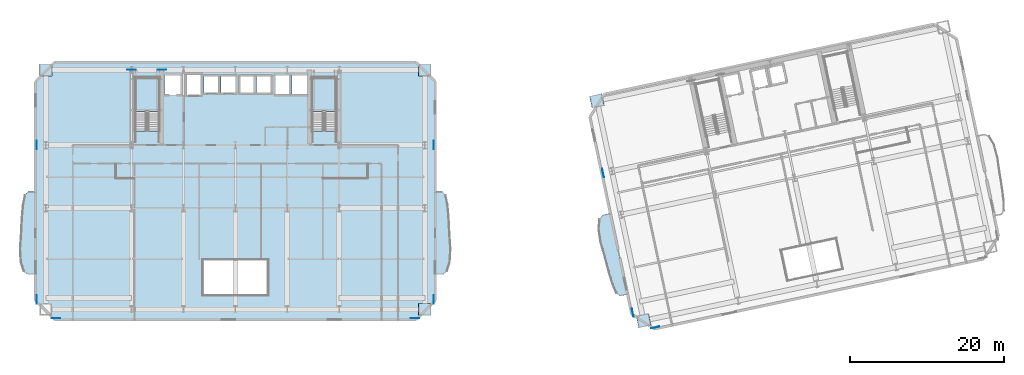
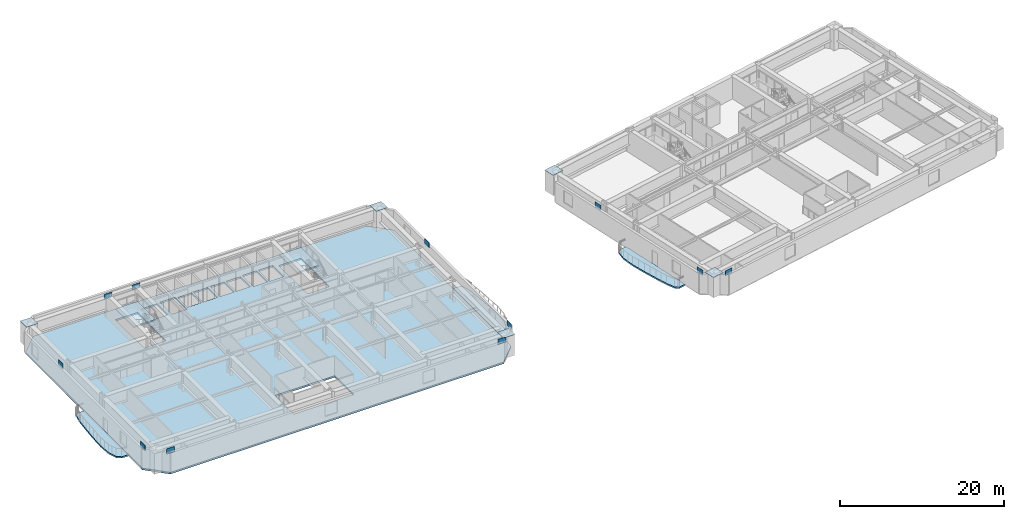
# One storey, part 5 of 18: 16 plates, 6 slabs, 2 elements without a shape of their own.
"""IFC4 building model written with IfcOpenShell, lengths in metres."""

import ifcopenshell
import ifcopenshell.guid

model = None  # the IFC model being written
_history = None  # IfcOwnerHistory: only IFC2X3 demands one
_inside = {}  # id of a spatial element -> (the spatial element, [elements in it])
_under = {}  # id of a project, library or spatial element -> (it, [spatial elements below it])
_declared = {}  # id of a project -> (the project, [libraries it declares])
_typed = {}  # id of a type object -> (the type object, [elements of that type])
_made_of = {}  # id of a material, layer set ... -> (it, [elements and type objects made of it])


def new_model(schema):
    """Start an empty IFC model of exactly this schema.

    Asked for "IFC4X3", IfcOpenShell would pick the latest addendum, in which some entities
    have other attributes; the version numbers below select the first issue.
    IFC2X3 requires an IfcOwnerHistory on every rooted entity: one is made here for all.
    """
    global model, _history
    if schema == "IFC4X3":
        model = ifcopenshell.file(schema_version=(4, 3, 0, 0))
    else:
        model = ifcopenshell.file(schema=schema)
    _inside.clear()
    _under.clear()
    _declared.clear()
    _typed.clear()
    _made_of.clear()
    _history = None
    if model.schema == "IFC2X3":
        org = make("IfcOrganization", Name="unknown")
        user = make(
            "IfcPersonAndOrganization",
            ThePerson=make("IfcPerson", FamilyName="unknown"),
            TheOrganization=org,
        )
        app = make(
            "IfcApplication",
            ApplicationDeveloper=org,
            Version="unknown",
            ApplicationFullName="unknown",
            ApplicationIdentifier="unknown",
        )
        _history = make(
            "IfcOwnerHistory",
            OwningUser=user,
            OwningApplication=app,
            ChangeAction="ADDED",
            CreationDate=0,
        )
    return model


def make(cls, **values):
    """One entity of the class cls with the attributes given. An attribute that is None is left unset."""
    return model.create_entity(
        cls, **{name: value for name, value in values.items() if value is not None}
    )


def rooted(cls, **values):
    """An entity with a GlobalId (a new one), such as an element, a storey or a relation."""
    return make(cls, GlobalId=ifcopenshell.guid.new(), OwnerHistory=_history, **values)


def si_unit(unit_type, name, prefix=None):
    """IfcSIUnit, for example si_unit("LENGTHUNIT", "METRE", prefix="MILLI")."""
    return make("IfcSIUnit", UnitType=unit_type, Prefix=prefix, Name=name)


def assignment(units):
    """IfcUnitAssignment: the units of a project."""
    return None if units is None else make("IfcUnitAssignment", Units=units)


def point(xyz):
    """IfcCartesianPoint."""
    return None if xyz is None else make("IfcCartesianPoint", Coordinates=xyz)


def direction(xyz):
    """IfcDirection."""
    return None if xyz is None else make("IfcDirection", DirectionRatios=xyz)


def frame(location, z_axis=None, x_axis=None):
    """IfcAxis2Placement3D, a coordinate frame: its origin and axes. An axis left out is left unset."""
    return make(
        "IfcAxis2Placement3D",
        Location=point(location),
        Axis=direction(z_axis),
        RefDirection=direction(x_axis),
    )


def frame_2d(location, x_axis=None):
    """IfcAxis2Placement2D, a coordinate frame in the plane: its origin and x axis."""
    return make(
        "IfcAxis2Placement2D", Location=point(location), RefDirection=direction(x_axis)
    )


def origin():
    """The frame at (0, 0, 0) with its axes left unset."""
    return frame((0.0, 0.0, 0.0))


def origin_2d():
    """The frame at (0, 0) in the plane with its x axis left unset."""
    return frame_2d((0.0, 0.0))


def place(relative_to, where):
    """IfcLocalPlacement: puts the frame where relative to a parent placement (None: the world)."""
    return make(
        "IfcLocalPlacement", PlacementRelTo=relative_to, RelativePlacement=where
    )


def context(
    kind, dimensions, precision=None, world=None, true_north=None, identifier=None
):
    """IfcGeometricRepresentationContext, for example the 3D "Model" context."""
    return make(
        "IfcGeometricRepresentationContext",
        ContextIdentifier=identifier,
        ContextType=kind,
        CoordinateSpaceDimension=dimensions,
        Precision=precision,
        WorldCoordinateSystem=world,
        TrueNorth=true_north,
    )


def subcontext(parent, identifier, kind, view, scale=None):
    """IfcGeometricRepresentationSubContext, for example "Body" below "Model"."""
    return make(
        "IfcGeometricRepresentationSubContext",
        ContextIdentifier=identifier,
        ContextType=kind,
        ParentContext=parent,
        TargetScale=scale,
        TargetView=view,
    )


def project(units=None, contexts=None):
    """IfcProject with its units and contexts."""
    return rooted(
        "IfcProject",
        Name="project",
        RepresentationContexts=contexts,
        UnitsInContext=assignment(units),
    )


def spatial(cls, under=None, at=None, **own):
    """A site, building, storey or space (cls), placed at a placement, below another one or the project."""
    s = rooted(cls, ObjectPlacement=at, **own)
    if under is not None:
        _under.setdefault(under.id(), (under, []))[1].append(s)
    return s


def polyline(points):
    """IfcPolyline through the points."""
    return make("IfcPolyline", Points=[point(p) for p in points])


def profile(cls, at=None, kind="AREA", **sizes):
    """A parametric profile (cls). Its sizes go by their IFC names, for example OverallWidth=200.0."""
    return make(cls, ProfileType=kind, Position=at, **sizes)


def rectangle(**sizes):
    """IfcRectangleProfileDef."""
    return profile("IfcRectangleProfileDef", **sizes)


def outline(outer, holes=None, kind="AREA"):
    """IfcArbitraryClosedProfileDef: a profile drawn as a closed curve; with holes, ...WithVoids."""
    if holes is None:
        return make("IfcArbitraryClosedProfileDef", ProfileType=kind, OuterCurve=outer)
    return make(
        "IfcArbitraryProfileDefWithVoids",
        ProfileType=kind,
        OuterCurve=outer,
        InnerCurves=holes,
    )


def extrude(swept, where, along, depth):
    """IfcExtrudedAreaSolid: the profile swept, set in the frame where, extruded along a direction by depth."""
    return make(
        "IfcExtrudedAreaSolid",
        SweptArea=swept,
        Position=where,
        ExtrudedDirection=direction(along),
        Depth=depth,
    )


def shape(context_of_items, identifier, shape_type, items):
    """IfcShapeRepresentation: the items that make up one representation, for example the "Body"."""
    return make(
        "IfcShapeRepresentation",
        ContextOfItems=context_of_items,
        RepresentationIdentifier=identifier,
        RepresentationType=shape_type,
        Items=items,
    )


def material(Name=None, Category=None):
    """IfcMaterial."""
    return make("IfcMaterial", Name=Name, Category=Category)


def layer(
    of_material, thickness, ventilated=None, Name=None, Category=None, Priority=None
):
    """IfcMaterialLayer: one layer of a wall or slab, of a material (None: an air gap)."""
    return make(
        "IfcMaterialLayer",
        Material=of_material,
        LayerThickness=thickness,
        IsVentilated=ventilated,
        Name=Name,
        Category=Category,
        Priority=Priority,
    )


def layer_set(layers, Name=None):
    """IfcMaterialLayerSet."""
    return make("IfcMaterialLayerSet", MaterialLayers=layers, LayerSetName=Name)


def made_of(thing, what):
    """Note that an element or type object is made of a material, layer set ...; save() writes the relation."""
    if what is not None:
        _made_of.setdefault(what.id(), (what, []))[1].append(thing)
    return thing


def type_object(cls, material=None, **own):
    """A type object (cls), such as IfcWallType, which elements share."""
    return made_of(rooted(cls, **own), material)


def element(
    cls,
    number,
    at=None,
    inside=None,
    cuts=None,
    type_object=None,
    material=None,
    context=None,
    identifier="Body",
    shape_type=None,
    held_by="IfcProductDefinitionShape",
    body=None,
    shapes=None,
    **own,
):
    """One element of the class cls, such as IfcWall. Its Tag is "e" and its number.

    at: its placement. inside: the storey or other place that contains it. cuts: it is an
    opening in that element (IfcRelVoidsElement). A single representation is given by context,
    identifier, shape_type and body (its items); several are given by shapes. held_by: the class
    of the entity that holds the representations. save() writes the other relations.
    """
    e = rooted(cls, Tag="e%d" % number, ObjectPlacement=at, **own)
    if body is not None:
        shapes = [shape(context, identifier, shape_type, body)]
    if shapes is not None:
        e.Representation = make(held_by, Representations=shapes)
    if inside is not None:
        _inside.setdefault(inside.id(), (inside, []))[1].append(e)
    if cuts is not None:
        rooted(
            "IfcRelVoidsElement", RelatingBuildingElement=cuts, RelatedOpeningElement=e
        )
    if type_object is not None:
        _typed.setdefault(type_object.id(), (type_object, []))[1].append(e)
    return made_of(e, material)


def aggregate(whole, parts):
    """IfcRelAggregates: a whole, such as a stair, and the parts it consists of."""
    return rooted("IfcRelAggregates", RelatingObject=whole, RelatedObjects=parts)


def save(model, path):
    """Write the relations noted so far, then the file.

    IfcRelAggregates (storeys below a building ...), IfcRelContainedInSpatialStructure (elements
    in a storey), IfcRelDefinesByType, IfcRelAssociatesMaterial and IfcRelDeclares: one each for
    every whole, place, type object, material and project.
    """
    for whole, parts in _under.values():
        aggregate(whole, parts)
    for where, things in _inside.values():
        rooted(
            "IfcRelContainedInSpatialStructure",
            RelatedElements=things,
            RelatingStructure=where,
        )
    for kind, things in _typed.values():
        rooted("IfcRelDefinesByType", RelatedObjects=things, RelatingType=kind)
    for what, things in _made_of.values():
        rooted("IfcRelAssociatesMaterial", RelatedObjects=things, RelatingMaterial=what)
    for by, libraries in _declared.values():
        rooted("IfcRelDeclares", RelatingContext=by, RelatedDefinitions=libraries)
    model.write(path)


model = new_model("IFC4")

# Units and contexts
model_context = context("Model", 3, precision=1e-05, world=origin(), true_north=direction((0.0, 1.0)))
body_context = subcontext(model_context, "Body", "Model", "MODEL_VIEW")
ifc_project = project(units=[si_unit("LENGTHUNIT", "METRE"), si_unit("AREAUNIT", "SQUARE_METRE"), si_unit("VOLUMEUNIT", "CUBIC_METRE"), si_unit("PLANEANGLEUNIT", "RADIAN"), si_unit("MASSUNIT", "GRAM", prefix="KILO")], contexts=[model_context])

# Site, building, storey
site_placement = place(None, origin())
site = spatial("IfcSite", under=ifc_project, at=site_placement, CompositionType="ELEMENT")
building_placement = place(site_placement, origin())
building = spatial("IfcBuilding", under=site, at=building_placement, Name="Haevon Station Towers", CompositionType="ELEMENT")
storey_placement = place(building_placement, frame((0.0, 0.0, 66.89990234375)))
storey = spatial("IfcBuildingStorey", under=building, at=storey_placement, Name="L17", CompositionType="ELEMENT", Elevation=66.89990234375)

# Plates
ifc_material_1 = material(Name="PL-FLG1", Category="steel")
ifc_layer_1 = layer(ifc_material_1, 0.044921875)
ifc_layer_set_1 = layer_set([ifc_layer_1], Name="PL-FLG1")
plate_type_1 = type_object("IfcPlateType", Name="PL-FLG1", PredefinedType="USERDEFINED", material=ifc_layer_set_1)
for number, where, z_axis, x_axis, name in (
    (1, (12.85009765625, 48.0, 3.050048828125), (0.0, 0.0, 1.0), (1.0, 0.0, 0.0), "PL-CAP-T1-L17-01-04"),
    (2, (62.14990234375, 16.85009765625, 3.050048828125), (0.0, 0.0, 1.0), (1.0, 0.0, 0.0), "PL-CAP-T1-L17-07-01"),
    (3, (62.14990234375, 48.0, 3.050048828125), (0.0, 0.0, 1.0), (1.0, 0.0, 0.0), "PL-CAP-T1-L17-07-04"),
    (4, (90.614013671875, 15.367919921875, 3.050048828125), (0.0, 0.0, 1.0), (0.978147600734, 0.207911690818, 0.0), "PL-CAP-T2-L17-01-01"),
    (5, (84.53271484375, 43.978759765625, 3.050048828125), (0.0, 0.0, 1.0), (0.978147600734, 0.207911690818, 0.0), "PL-CAP-T2-L17-01-04"),
):
    element("IfcPlate", number, at=place(storey_placement, frame(where, z_axis=z_axis, x_axis=x_axis)), inside=storey, type_object=plate_type_1, Name=name, ObjectType="FLANGE_PLATE", PredefinedType="USERDEFINED", context=body_context, shape_type="SweptSolid", body=[
        extrude(rectangle(XDim=1.639892578125, YDim=1.5400390625, at=origin_2d()), origin(), (0.0, 0.0, 1.0), 0.0400390625),
    ])
ifc_material_2 = material(Name="PL-SPL1", Category="steel")
ifc_layer_2 = layer(ifc_material_2, 0.031982421875)
ifc_layer_set_2 = layer_set([ifc_layer_2], Name="PL-SPL1")
plate_type_2 = type_object("IfcPlateType", Name="PL-SPL1", PredefinedType="USERDEFINED", material=ifc_layer_set_2)
for number, where, z_axis, x_axis, name in (
    (6, (14.14990234375, 15.679931640625, 2.775146484375), (0.0, 0.0, 1.0), (1.0, 0.0, 0.0), "PL-T1SPL-T01-S-3"),
    (7, (60.85009765625, 15.679931640625, 2.775146484375), (0.0, 0.0, 1.0), (1.0, 0.0, 0.0), "PL-T1SPL-T01-S-4"),
    (8, (24.0, 48.0, 2.775146484375), (0.0, 0.0, 1.0), (1.0, 0.0, 0.0), "PL-T1SPL-T01-N-3"),
    (9, (27.949951171875, 48.0, 2.775146484375), (0.0, 0.0, 1.0), (1.0, 0.0, 0.0), "PL-T1SPL-T01-N-4"),
    (10, (11.679931640625, 18.14990234375, 2.775146484375), (0.0, 0.0, 1.0), (0.0, 1.0, 0.0), "PL-T1SPL-T01-W-3"),
    (11, (11.679931640625, 38.199951171875, 2.775146484375), (0.0, 0.0, 1.0), (0.0, 1.0, 0.0), "PL-T1SPL-T01-W-4"),
    (12, (63.320068359375, 18.14990234375, 2.775146484375), (0.0, 0.0, 1.0), (0.0, 1.0, 0.0), "PL-T1SPL-T01-E-3"),
    (13, (63.320068359375, 38.199951171875, 2.775146484375), (0.0, 0.0, 1.0), (0.0, 1.0, 0.0), "PL-T1SPL-T01-E-4"),
    (14, (92.12890625, 14.493896484375, 2.775146484375), (0.0, 0.0, 1.0), (0.978147600734, 0.207911690818, 0.0), "PL-T2SPL-T01-S-3"),
    (15, (89.19921875, 16.396240234375, 2.775146484375), (0.0, 0.0, 1.0), (-0.207911690818, 0.978147600734, 0.0), "PL-T2SPL-T01-W-3"),
    (16, (85.332275390625, 34.58984375, 2.775146484375), (0.0, 0.0, 1.0), (-0.207911690818, 0.978147600734, 0.0), "PL-T2SPL-T01-W-4"),
):
    element("IfcPlate", number, at=place(storey_placement, frame(where, z_axis=z_axis, x_axis=x_axis)), inside=storey, type_object=plate_type_2, Name=name, ObjectType="SPLICE_PLATE", PredefinedType="USERDEFINED", context=body_context, shape_type="SweptSolid", body=[
        extrude(rectangle(XDim=1.10009765625, YDim=0.031982421875, at=origin_2d()), origin(), (0.0, 0.0, 1.0), 0.75),
    ])

# Slabs
ifc_material_3 = material(Name="Concrete C40/50", Category="concrete")
ifc_layer_3 = layer(ifc_material_3, 0.219970703125)
ifc_layer_set_3 = layer_set([ifc_layer_3], Name="Concrete C40/50")
slab_type_1 = type_object("IfcSlabType", Name="SL-BALC220", PredefinedType="FLOOR", material=ifc_layer_set_3)
slab_1_placement = place(storey_placement, frame((0.0, 0.0, -0.219970703125)))
element("IfcSlab", 17, at=slab_1_placement, inside=storey, type_object=slab_type_1, Name="Tower 1 L17 West SCALLOPED BALCONY", PredefinedType="FLOOR", context=body_context, shape_type="SweptSolid", body=[
    extrude(outline(polyline([(11.4951171875, 32.14990234375), (10.53759765625, 32.14990234375), (10.14697265625, 31.739013671875), (9.900634765625, 30.568359375), (9.730224609375, 28.81640625), (9.574462890625, 26.75), (9.48779296875, 24.68359375), (9.602783203125, 22.931640625), (9.98388671875, 21.760986328125), (10.53759765625, 21.35009765625), (11.4951171875, 21.35009765625), (11.4951171875, 32.14990234375)])), origin(), (0.0, 0.0, 1.0), 0.219970703125),
])
slab_2_placement = place(storey_placement, frame((0.0, 0.0, -0.219970703125)))
element("IfcSlab", 18, at=slab_2_placement, inside=storey, type_object=slab_type_1, Name="Tower 1 L17 East SCALLOPED BALCONY", PredefinedType="FLOOR", context=body_context, shape_type="SweptSolid", body=[
    extrude(outline(polyline([(63.5048828125, 21.35009765625), (64.46240234375, 21.35009765625), (65.01611328125, 21.760986328125), (65.397216796875, 22.931640625), (65.51220703125, 24.68359375), (65.425537109375, 26.75), (65.269775390625, 28.81640625), (65.099365234375, 30.568359375), (64.85302734375, 31.739013671875), (64.46240234375, 32.14990234375), (63.5048828125, 32.14990234375), (63.5048828125, 21.35009765625)])), origin(), (0.0, 0.0, 1.0), 0.219970703125),
])
slab_3_placement = place(storey_placement, frame((0.0, 0.0, -0.219970703125)))
element("IfcSlab", 19, at=slab_3_placement, inside=storey, type_object=slab_type_1, Name="Tower 2 L17 West SCALLOPED BALCONY", PredefinedType="FLOOR", context=body_context, shape_type="SweptSolid", body=[
    extrude(outline(polyline([(86.25830078125, 29.3427734375), (85.32177734375, 29.143798828125), (84.86572265625, 28.62646484375), (84.736328125, 27.40234375), (84.988037109375, 25.664794921875), (85.50244140625, 23.661376953125), (86.08447265625, 21.672607421875), (86.615478515625, 19.994384765625), (87.099609375, 18.900634765625), (87.5673828125, 18.579833984375), (88.503662109375, 18.77880859375), (86.25830078125, 29.3427734375)])), origin(), (0.0, 0.0, 1.0), 0.219970703125),
])

# Stair, slab
stair_type = type_object("IfcStairType", Name="STR-DL1450", PredefinedType="USERDEFINED", material=ifc_material_3)
stair_1_placement = place(storey_placement, origin())
stair_1 = element("IfcStair", 20, at=stair_1_placement, inside=storey, type_object=stair_type, Name="L17 Escape Stair ST1", ObjectType="TWO_RETURN_STAIR", PredefinedType="USERDEFINED")
ifc_layer_4 = layer(ifc_material_3, 0.199951171875)
ifc_layer_set_4 = layer_set([ifc_layer_4], Name="Concrete C40/50")
slab_type_2 = type_object("IfcSlabType", Name="SL-LND200", PredefinedType="LANDING", material=ifc_layer_set_4)
slab_4_placement = place(storey_placement, frame((0.0, 0.0, 1.4501953125)))
slab_4 = element("IfcSlab", 21, at=slab_4_placement, type_object=slab_type_2, Name="L17 ST1 Half Landing 1", PredefinedType="LANDING", context=body_context, shape_type="SweptSolid", body=[
    extrude(outline(polyline([(27.580078125, 42.56396484375), (27.580078125, 47.0), (24.47998046875, 47.0), (24.47998046875, 42.56396484375), (27.580078125, 42.56396484375)])), origin(), (0.0, 0.0, 1.0), 0.199951171875),
])
aggregate(stair_1, [slab_4])

stair_2_placement = place(storey_placement, origin())
stair_2 = element("IfcStair", 22, at=stair_2_placement, inside=storey, type_object=stair_type, Name="L17 Escape Stair ST2", ObjectType="TWO_RETURN_STAIR", PredefinedType="USERDEFINED")
slab_5_placement = place(storey_placement, frame((0.0, 0.0, 1.4501953125)))
slab_5 = element("IfcSlab", 23, at=slab_5_placement, type_object=slab_type_2, Name="L17 ST2 Half Landing 1", PredefinedType="LANDING", context=body_context, shape_type="SweptSolid", body=[
    extrude(outline(polyline([(50.6201171875, 42.56396484375), (50.6201171875, 47.0), (47.52001953125, 47.0), (47.52001953125, 42.56396484375), (50.6201171875, 42.56396484375)])), origin(), (0.0, 0.0, 1.0), 0.199951171875),
])
aggregate(stair_2, [slab_5])

# Slab
ifc_layer_5 = layer(ifc_material_3, 0.25)
ifc_layer_set_5 = layer_set([ifc_layer_5], Name="Concrete C40/50")
slab_type_3 = type_object("IfcSlabType", Name="SL-TW250", PredefinedType="FLOOR", material=ifc_layer_set_5)
slab_6_placement = place(storey_placement, frame((0.0, 0.0, -0.25)))
element("IfcSlab", 24, at=slab_6_placement, inside=storey, type_object=slab_type_3, Name="SL-T1-L17", PredefinedType="FLOOR", context=body_context, shape_type="SweptSolid", body=[
    extrude(outline(polyline([(14.0, 15.5), (61.0, 15.5), (63.5, 18.0), (63.5, 46.5), (61.0, 49.0), (14.0, 49.0), (11.5, 46.5), (11.5, 18.0), (14.0, 15.5)]), holes=[polyline([(27.580078125, 40.055908203125), (27.580078125, 47.0), (24.47998046875, 47.0), (24.47998046875, 40.055908203125), (27.580078125, 40.055908203125)]), polyline([(50.6201171875, 40.055908203125), (50.6201171875, 47.0), (47.52001953125, 47.0), (47.52001953125, 40.055908203125), (50.6201171875, 40.055908203125)]), polyline([(28.300048828125, 44.699951171875), (30.5, 44.699951171875), (30.5, 47.39990234375), (28.300048828125, 47.39990234375), (28.300048828125, 44.699951171875)]), polyline([(31.050048828125, 44.60009765625), (33.14990234375, 44.60009765625), (33.14990234375, 47.5), (31.050048828125, 47.5), (31.050048828125, 44.60009765625)]), polyline([(33.39990234375, 44.89990234375), (35.39990234375, 44.89990234375), (35.39990234375, 47.300048828125), (33.39990234375, 47.300048828125), (33.39990234375, 44.89990234375)]), polyline([(35.64990234375, 44.89990234375), (37.64990234375, 44.89990234375), (37.64990234375, 47.300048828125), (35.64990234375, 47.300048828125), (35.64990234375, 44.89990234375)]), polyline([(38.0, 44.89990234375), (40.0, 44.89990234375), (40.0, 47.300048828125), (38.0, 47.300048828125), (38.0, 44.89990234375)]), polyline([(40.25, 44.89990234375), (42.25, 44.89990234375), (42.25, 47.300048828125), (40.25, 47.300048828125), (40.25, 44.89990234375)]), polyline([(42.60009765625, 44.699951171875), (44.60009765625, 44.699951171875), (44.60009765625, 47.39990234375), (42.60009765625, 47.39990234375), (42.60009765625, 44.699951171875)]), polyline([(44.85009765625, 44.699951171875), (46.85009765625, 44.699951171875), (46.85009765625, 47.39990234375), (44.85009765625, 47.39990234375), (44.85009765625, 44.699951171875)]), polyline([(33.300048828125, 18.699951171875), (41.699951171875, 18.699951171875), (41.699951171875, 23.300048828125), (33.300048828125, 23.300048828125), (33.300048828125, 18.699951171875)])]), origin(), (0.0, 0.0, 1.0), 0.25),
])

save(model, "model.ifc")
